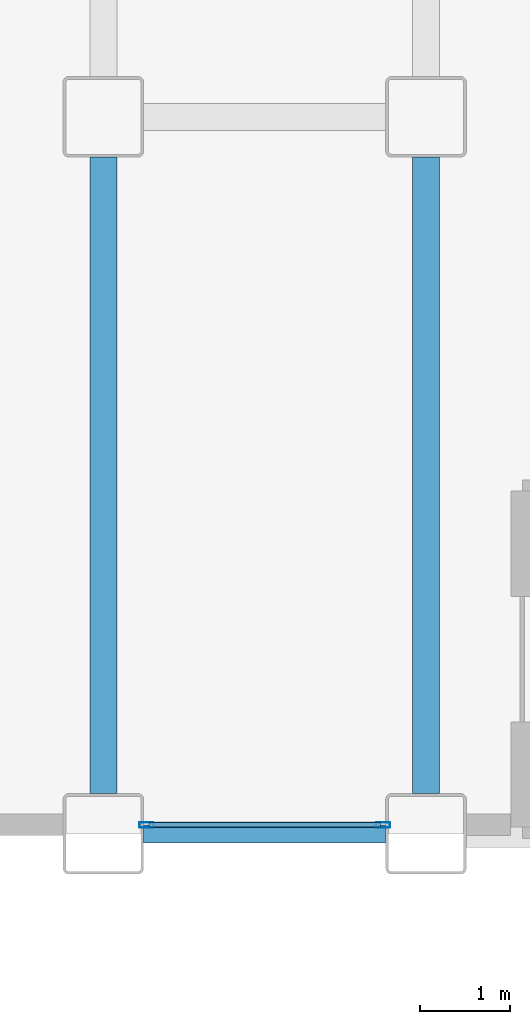
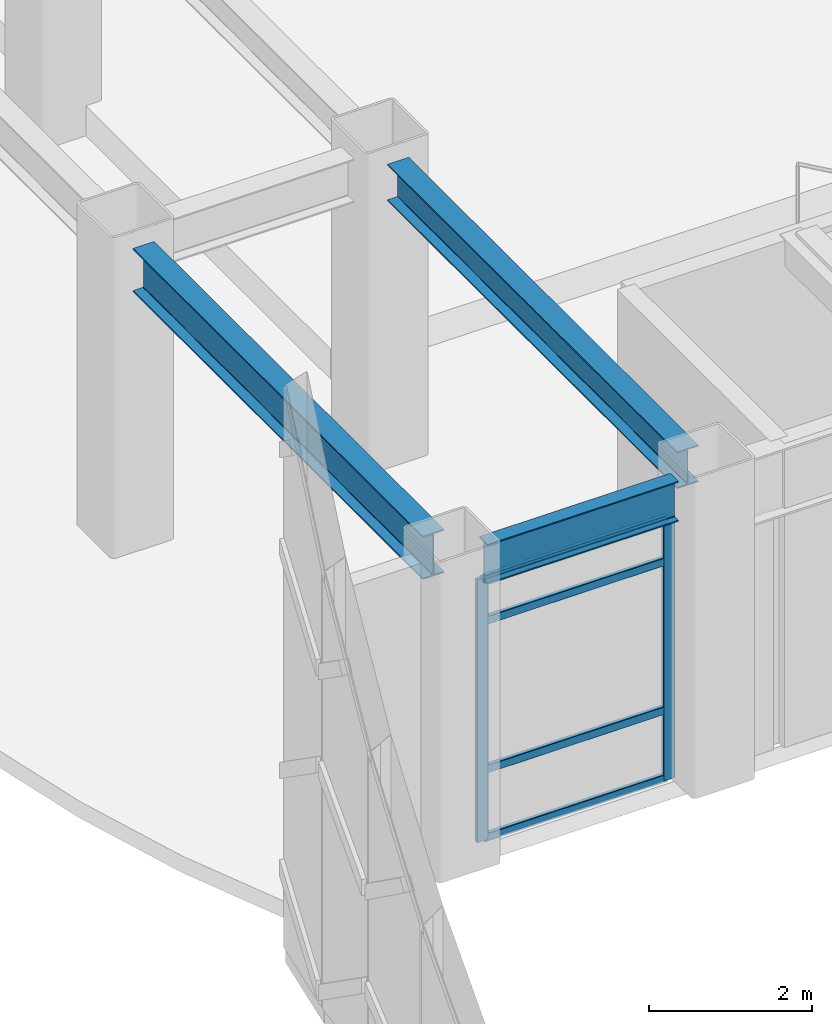
# One storey, part 26 of 172: 6 members, 3 beams, 1 element without a shape of its own.
"""IFC4 building model written with IfcOpenShell, lengths in metres."""

from ifc_helpers import new_model, si_unit, direction, frame, origin, origin_2d, place, context, subcontext, project, spatial, hollow_rectangle, i_section, extrude, material, layer, layer_set, material_profile, profile_set, type_object, element, aggregate, save


model = new_model("IFC4")

# Units and contexts
model_context = context("Model", 3, precision=1e-05, world=origin(), true_north=direction((0.0, 1.0)))
body_context = subcontext(model_context, "Body", "Model", "MODEL_VIEW")
ifc_project = project(units=[si_unit("LENGTHUNIT", "METRE"), si_unit("AREAUNIT", "SQUARE_METRE"), si_unit("VOLUMEUNIT", "CUBIC_METRE"), si_unit("PLANEANGLEUNIT", "RADIAN"), si_unit("MASSUNIT", "GRAM", prefix="KILO")], contexts=[model_context])

# Site, building, storey
site_placement = place(None, origin())
site = spatial("IfcSite", under=ifc_project, at=site_placement, CompositionType="ELEMENT")
building_placement = place(site_placement, origin())
building = spatial("IfcBuilding", under=site, at=building_placement, Name="Kazehara Bluff Congress Hotel", CompositionType="ELEMENT")
storey_placement = place(building_placement, frame((0.0, 0.0, 5.39990234375)))
storey = spatial("IfcBuildingStorey", under=building, at=storey_placement, Name="L01", CompositionType="ELEMENT", Elevation=5.39990234375)

# Curtain wall, members
ifc_material_1 = material(Name="Anodised aluminium", Category="aluminium")
ifc_layer = layer(ifc_material_1, 0.159912109375)
ifc_layer_set = layer_set([ifc_layer], Name="Anodised aluminium")
curtain_wall_type = type_object("IfcCurtainWallType", Name="TP-CW-108", PredefinedType="NOTDEFINED", material=ifc_layer_set)
curtain_wall_placement = place(storey_placement, origin())
curtain_wall = element("IfcCurtainWall", 1, at=curtain_wall_placement, inside=storey, type_object=curtain_wall_type, Name="L01 curtain wall CW-108 CW-ENC-V1-L01-660-4855", PredefinedType="NOTDEFINED")
ifc_material_2 = material(Name="Anodised aluminium", Category="aluminium")
ifc_material_profile_1 = material_profile(ifc_material_2, hollow_rectangle(XDim=0.06005859375, YDim=0.159912109375, WallThickness=0.00390625, InnerFilletRadius=0.00390625, OuterFilletRadius=0.008056640625, at=origin_2d()))
ifc_profile_set_1 = profile_set([ifc_material_profile_1], Name="Anodised aluminium")
member_type_1 = type_object("IfcMemberType", Name="TP-CWM-01", PredefinedType="MULLION", material=ifc_profile_set_1)
member_1_placement = place(storey_placement, frame((7.919921875, 48.550048828125, 0.0), z_axis=(0.0, 0.0, 1.0), x_axis=(0.0, -1.0, 0.0)))
member_1 = element("IfcMember", 2, at=member_1_placement, type_object=member_type_1, Name="CW-108 mullion 1", PredefinedType="MULLION", context=body_context, shape_type="SweptSolid", body=[
    extrude(hollow_rectangle(XDim=0.06005859375, YDim=0.159912109375, WallThickness=0.00390625, InnerFilletRadius=0.00390625, OuterFilletRadius=0.008056640625, at=origin_2d()), origin(), (0.0, 0.0, 1.0), 3.925048828125),
])
member_2_placement = place(storey_placement, frame((5.280029296875, 48.550048828125, 0.0), z_axis=(0.0, 0.0, 1.0), x_axis=(0.0, -1.0, 0.0)))
member_2 = element("IfcMember", 3, at=member_2_placement, type_object=member_type_1, Name="CW-108 mullion 2", PredefinedType="MULLION", context=body_context, shape_type="SweptSolid", body=[
    extrude(hollow_rectangle(XDim=0.06005859375, YDim=0.159912109375, WallThickness=0.00390625, InnerFilletRadius=0.00390625, OuterFilletRadius=0.008056640625, at=origin_2d()), origin(), (0.0, 0.0, 1.0), 3.925048828125),
])
ifc_material_3 = material(Name="Anodised aluminium", Category="aluminium")
ifc_material_profile_2 = material_profile(ifc_material_3, hollow_rectangle(XDim=0.06005859375, YDim=0.1201171875, WallThickness=0.00390625, InnerFilletRadius=0.00390625, OuterFilletRadius=0.008056640625, at=origin_2d()))
ifc_profile_set_2 = profile_set([ifc_material_profile_2], Name="Anodised aluminium")
member_type_2 = type_object("IfcMemberType", Name="TP-CWT-01", PredefinedType="USERDEFINED", material=ifc_profile_set_2)
member_3_placement = place(storey_placement, frame((7.889892578125, 48.550048828125, 0.030029296875), z_axis=(-1.0, 0.0, 0.0), x_axis=(0.0, -1.0, 0.0)))
member_3 = element("IfcMember", 4, at=member_3_placement, type_object=member_type_2, Name="CW-108 transom 1.1", ObjectType="TRANSOM", PredefinedType="USERDEFINED", context=body_context, shape_type="SweptSolid", body=[
    extrude(hollow_rectangle(XDim=0.06005859375, YDim=0.1201171875, WallThickness=0.00390625, InnerFilletRadius=0.00390625, OuterFilletRadius=0.008056640625, at=origin_2d()), origin(), (0.0, 0.0, 1.0), 2.579833984375),
])
member_4_placement = place(storey_placement, frame((7.889892578125, 48.550048828125, 1.050048828125), z_axis=(-1.0, 0.0, 0.0), x_axis=(0.0, -1.0, 0.0)))
member_4 = element("IfcMember", 5, at=member_4_placement, type_object=member_type_2, Name="CW-108 transom 1.2", ObjectType="TRANSOM", PredefinedType="USERDEFINED", context=body_context, shape_type="SweptSolid", body=[
    extrude(hollow_rectangle(XDim=0.06005859375, YDim=0.1201171875, WallThickness=0.00390625, InnerFilletRadius=0.00390625, OuterFilletRadius=0.008056640625, at=origin_2d()), origin(), (0.0, 0.0, 1.0), 2.579833984375),
])
member_5_placement = place(storey_placement, frame((7.889892578125, 48.550048828125, 3.275146484375), z_axis=(-1.0, 0.0, 0.0), x_axis=(0.0, -1.0, 0.0)))
member_5 = element("IfcMember", 6, at=member_5_placement, type_object=member_type_2, Name="CW-108 transom 1.3", ObjectType="TRANSOM", PredefinedType="USERDEFINED", context=body_context, shape_type="SweptSolid", body=[
    extrude(hollow_rectangle(XDim=0.06005859375, YDim=0.1201171875, WallThickness=0.00390625, InnerFilletRadius=0.00390625, OuterFilletRadius=0.008056640625, at=origin_2d()), origin(), (0.0, 0.0, 1.0), 2.579833984375),
])
member_6_placement = place(storey_placement, frame((7.889892578125, 48.550048828125, 3.89501953125), z_axis=(-1.0, 0.0, 0.0), x_axis=(0.0, -1.0, 0.0)))
member_6 = element("IfcMember", 7, at=member_6_placement, type_object=member_type_2, Name="CW-108 transom 1.4", ObjectType="TRANSOM", PredefinedType="USERDEFINED", context=body_context, shape_type="SweptSolid", body=[
    extrude(hollow_rectangle(XDim=0.06005859375, YDim=0.1201171875, WallThickness=0.00390625, InnerFilletRadius=0.00390625, OuterFilletRadius=0.008056640625, at=origin_2d()), origin(), (0.0, 0.0, 1.0), 2.579833984375),
])
aggregate(curtain_wall, [member_1, member_2, member_3, member_4, member_5, member_6])

# Beams
ifc_material_4 = material(Name="Steel SN490B", Category="steel")
ifc_material_profile_3 = material_profile(ifc_material_4, i_section(OverallWidth=0.300048828125, OverallDepth=0.64990234375, WebThickness=0.011962890625, FlangeThickness=0.02001953125, FilletRadius=0.012939453125, at=origin_2d()))
ifc_profile_set_3 = profile_set([ifc_material_profile_3], Name="Steel SN490B")
beam_type_1 = type_object("IfcBeamType", Name="TP-G-03", PredefinedType="BEAM", material=ifc_profile_set_3)
beam_1_placement = place(storey_placement, frame((4.800048828125, 48.89990234375, 4.22509765625), z_axis=(0.0, 1.0, 0.0), x_axis=(-1.0, 0.0, 0.0)))
element("IfcBeam", 8, at=beam_1_placement, inside=storey, type_object=beam_type_1, Name="L01 girder G-03 1", PredefinedType="BEAM", context=body_context, shape_type="SweptSolid", body=[
    extrude(i_section(OverallWidth=0.300048828125, OverallDepth=0.64990234375, WebThickness=0.011962890625, FlangeThickness=0.02001953125, FilletRadius=0.012939453125, at=origin_2d()), origin(), (0.0, 0.0, 1.0), 7.10009765625),
])
ifc_material_5 = material(Name="Steel SN490B", Category="steel")
ifc_material_profile_4 = material_profile(ifc_material_5, i_section(OverallWidth=0.300048828125, OverallDepth=0.550048828125, WebThickness=0.010986328125, FlangeThickness=0.01806640625, FilletRadius=0.012939453125, at=origin_2d()))
ifc_profile_set_4 = profile_set([ifc_material_profile_4], Name="Steel SN490B")
beam_type_2 = type_object("IfcBeamType", Name="TP-SP-01", PredefinedType="SPANDREL", material=ifc_profile_set_4)
beam_2_placement = place(storey_placement, frame((8.39990234375, 48.89990234375, 4.275146484375), z_axis=(0.0, 1.0, 0.0), x_axis=(-1.0, 0.0, 0.0)))
element("IfcBeam", 9, at=beam_2_placement, inside=storey, type_object=beam_type_2, Name="L01 girder SP-01 9", PredefinedType="SPANDREL", context=body_context, shape_type="SweptSolid", body=[
    extrude(i_section(OverallWidth=0.300048828125, OverallDepth=0.550048828125, WebThickness=0.010986328125, FlangeThickness=0.01806640625, FilletRadius=0.012939453125, at=origin_2d()), origin(), (0.0, 0.0, 1.0), 7.10009765625),
])
ifc_material_6 = material(Name="Steel SN490B", Category="steel")
ifc_material_profile_5 = material_profile(ifc_material_6, i_section(OverallWidth=0.199951171875, OverallDepth=0.60009765625, WebThickness=0.010986328125, FlangeThickness=0.01708984375, FilletRadius=0.012939453125, at=origin_2d()))
ifc_profile_set_5 = profile_set([ifc_material_profile_5], Name="Steel SN490B")
beam_type_3 = type_object("IfcBeamType", Name="TP-SP-02", PredefinedType="SPANDREL", material=ifc_profile_set_5)
beam_3_placement = place(storey_placement, frame((5.25, 48.449951171875, 4.25), z_axis=(1.0, 0.0, 0.0), x_axis=(0.0, 1.0, 0.0)))
element("IfcBeam", 10, at=beam_3_placement, inside=storey, type_object=beam_type_3, Name="L01 girder SP-02 25", PredefinedType="SPANDREL", context=body_context, shape_type="SweptSolid", body=[
    extrude(i_section(OverallWidth=0.199951171875, OverallDepth=0.60009765625, WebThickness=0.010986328125, FlangeThickness=0.01708984375, FilletRadius=0.012939453125, at=origin_2d()), origin(), (0.0, 0.0, 1.0), 2.699951171875),
])

save(model, "model.ifc")
